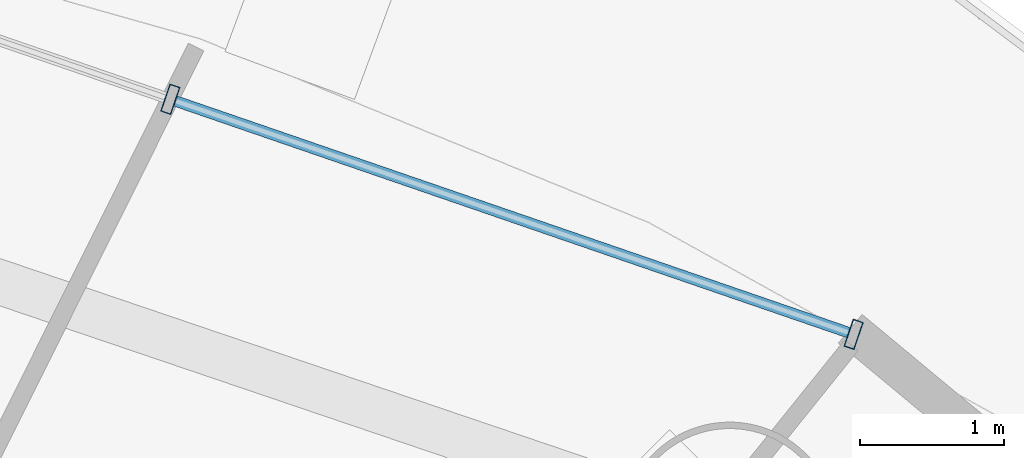
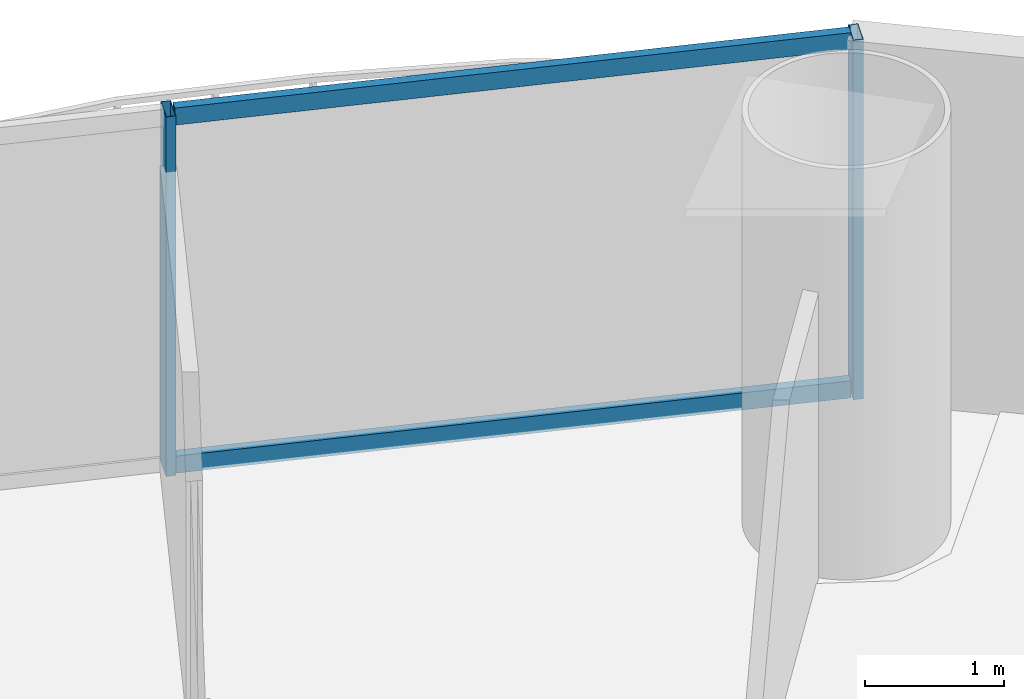
# One storey, part 20 of 29: 4 members, 1 element without a shape of its own.
"""IFC4 building model written with IfcOpenShell, lengths in metres."""

from ifc_helpers import new_model, si_unit, direction, frame, origin, origin_2d, place, context, subcontext, project, spatial, hollow_rectangle, extrude, source, transform, mapped, material, material_profile, profile_set, type_object, element, aggregate, save


model = new_model("IFC4")

# Units and contexts
model_context = context("Model", 3, precision=1e-05, world=origin(), true_north=direction((-0.2419218956, 0.970295726276)))
body_context = subcontext(model_context, "Body", "Model", "MODEL_VIEW")
ifc_project = project(units=[si_unit("LENGTHUNIT", "METRE"), si_unit("AREAUNIT", "SQUARE_METRE"), si_unit("VOLUMEUNIT", "CUBIC_METRE"), si_unit("PLANEANGLEUNIT", "RADIAN"), si_unit("MASSUNIT", "GRAM", prefix="KILO")], contexts=[model_context])

# Site, building, storey
site_placement = place(None, origin())
site = spatial("IfcSite", under=ifc_project, at=site_placement, CompositionType="ELEMENT")
building_placement = place(site_placement, origin())
building = spatial("IfcBuilding", under=site, at=building_placement, Name="Cobrevalo Terracotta Tower", CompositionType="ELEMENT")
storey_placement = place(building_placement, frame((0.0, 0.0, 126.60009765625)))
storey = spatial("IfcBuildingStorey", under=building, at=storey_placement, Name="L33", CompositionType="ELEMENT", Elevation=126.60009765625)

# Curtain wall, members
ifc_material = material(Name="Anodized aluminium", Category="aluminium")
curtain_wall_type = type_object("IfcCurtainWallType", Name="Lower-tower unitised acoustic low-E curtain wall CW-U1", PredefinedType="NOTDEFINED", material=ifc_material)
curtain_wall_placement = place(storey_placement, origin())
curtain_wall = element("IfcCurtainWall", 1, at=curtain_wall_placement, inside=storey, type_object=curtain_wall_type, Name="L33 curtain wall CW-L33-S03", PredefinedType="NOTDEFINED")
ifc_material_profile_1 = material_profile(ifc_material, hollow_rectangle(XDim=0.074951171875, YDim=0.199951171875, WallThickness=0.0048828125, at=origin_2d()), Name="CWM 75x200")
ifc_profile_set_1 = profile_set([ifc_material_profile_1], Name="Anodized aluminium")
member_type_1 = type_object("IfcMemberType", Name="Lower/mid tower unitised mullion 75x200", PredefinedType="MULLION", material=ifc_profile_set_1)
shared_shape_1 = source(origin(), body_context, "Body", "SweptSolid", [
    extrude(hollow_rectangle(XDim=0.074951171875, YDim=0.199951171875, WallThickness=0.0048828125, at=origin_2d()), origin(), (0.0, 0.0, 1.0), 3.14990234375),
])
member_1_placement = place(storey_placement, frame((52.7236328125, 45.16357421875, 0.0), z_axis=(0.0, 0.0, 1.0), x_axis=(-0.94559809868, 0.325337110968, 0.0)))
member_1 = element("IfcMember", 2, at=member_1_placement, type_object=member_type_1, Name="CW-L33-S03 vertical mullion 01", PredefinedType="MULLION", context=body_context, shape_type="MappedRepresentation", body=[
    mapped(shared_shape_1, transform((0.0, 0.0, 0.0), scale=1.0)),
])
member_2_placement = place(storey_placement, frame((47.972412109375, 46.79833984375, 0.0), z_axis=(0.0, 0.0, 1.0), x_axis=(-0.94559809868, 0.325337110968, 0.0)))
member_2 = element("IfcMember", 3, at=member_2_placement, type_object=member_type_1, Name="CW-L33-S03 vertical mullion 02", PredefinedType="MULLION", context=body_context, shape_type="MappedRepresentation", body=[
    mapped(shared_shape_1, transform((0.0, 0.0, 0.0), scale=1.0)),
])
ifc_material_profile_2 = material_profile(ifc_material, hollow_rectangle(XDim=0.074951171875, YDim=0.14990234375, WallThickness=0.00439453125, at=origin_2d()), Name="CWT 75x150")
ifc_profile_set_2 = profile_set([ifc_material_profile_2], Name="Anodized aluminium")
member_type_2 = type_object("IfcMemberType", Name="Tower unitised aluminium transom 75x150", PredefinedType="USERDEFINED", material=ifc_profile_set_2)
shared_shape_2 = source(origin(), body_context, "Body", "SweptSolid", [
    extrude(hollow_rectangle(XDim=0.074951171875, YDim=0.14990234375, WallThickness=0.00439453125, at=origin_2d()), origin(), (0.0, 0.0, 1.0), 4.944580078125),
])
member_3_placement = place(storey_placement, frame((52.685791015625, 45.176513671875, 0.0498046875), z_axis=(-0.945597859971, 0.32533780478, 0.0), x_axis=(-0.32533780478, -0.945597859971, 0.0)))
member_3 = element("IfcMember", 4, at=member_3_placement, type_object=member_type_2, Name="CW-L33-S03 transom B01-T1", ObjectType="TRANSOM", PredefinedType="USERDEFINED", context=body_context, shape_type="MappedRepresentation", body=[
    mapped(shared_shape_2, transform((0.0, 0.0, 0.0), scale=1.0)),
])
member_4_placement = place(storey_placement, frame((52.685791015625, 45.176513671875, 3.099853515625), z_axis=(-0.945597859971, 0.32533780478, 0.0), x_axis=(-0.32533780478, -0.945597859971, 0.0)))
member_4 = element("IfcMember", 5, at=member_4_placement, type_object=member_type_2, Name="CW-L33-S03 transom B01-T2", ObjectType="TRANSOM", PredefinedType="USERDEFINED", context=body_context, shape_type="MappedRepresentation", body=[
    mapped(shared_shape_2, transform((0.0, 0.0, 0.0), scale=1.0)),
])
aggregate(curtain_wall, [member_1, member_2, member_3, member_4])

save(model, "model.ifc")
